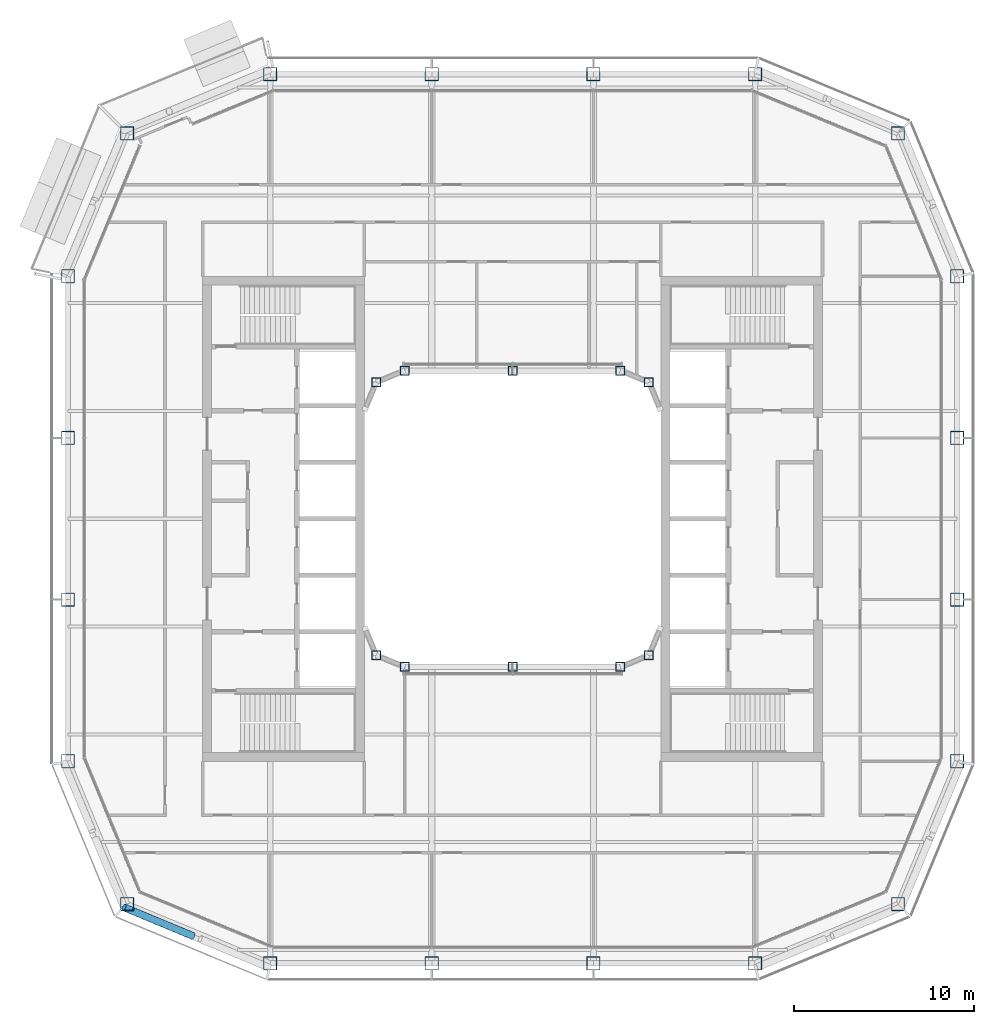
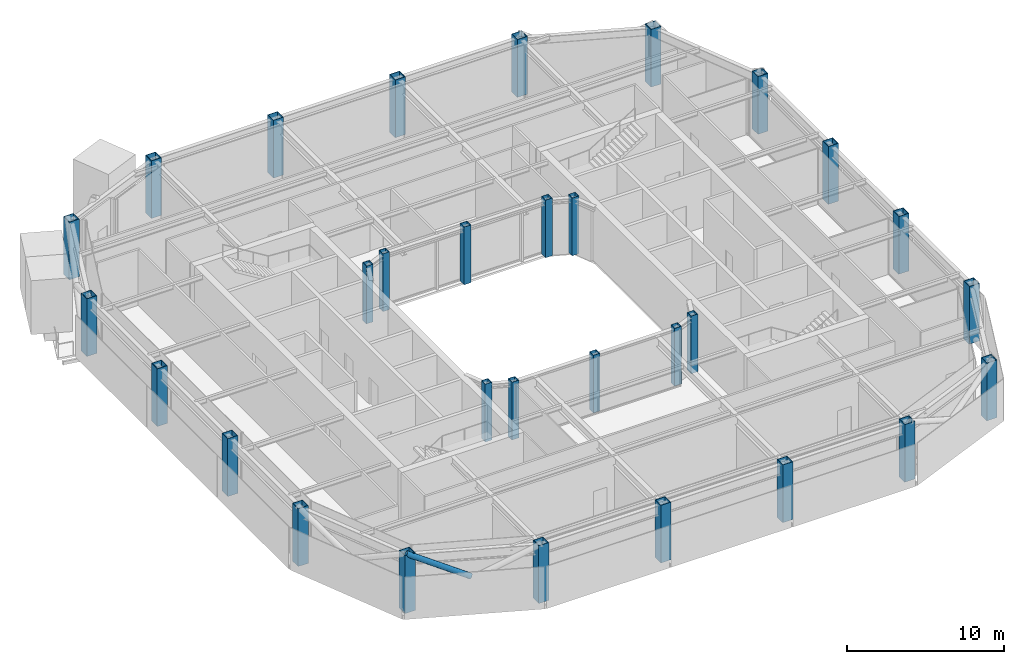
# One storey, part 1 of 21: 30 columns, 1 member.
"""IFC4 building model written with IfcOpenShell, lengths in metres."""

from ifc_helpers import new_model, si_unit, direction, frame, origin, origin_2d, place, context, subcontext, project, spatial, hollow_rectangle, hollow_circle, extrude, material, material_profile, profile_set, type_object, element, save


model = new_model("IFC4")

# Units and contexts
model_context = context("Model", 3, precision=1e-05, world=origin(), true_north=direction((0.0, 1.0)))
body_context = subcontext(model_context, "Body", "Model", "MODEL_VIEW")
ifc_project = project(units=[si_unit("LENGTHUNIT", "METRE"), si_unit("AREAUNIT", "SQUARE_METRE"), si_unit("VOLUMEUNIT", "CUBIC_METRE"), si_unit("PLANEANGLEUNIT", "RADIAN"), si_unit("MASSUNIT", "GRAM", prefix="KILO")], contexts=[model_context])

# Site, building, storey
site_placement = place(None, origin())
site = spatial("IfcSite", under=ifc_project, at=site_placement, CompositionType="ELEMENT")
building_placement = place(site_placement, origin())
building = spatial("IfcBuilding", under=site, at=building_placement, Name="Siwar Civic Tower", CompositionType="ELEMENT")
storey_placement = place(building_placement, frame((0.0, 0.0, 294.199951171875)))
storey = spatial("IfcBuildingStorey", under=building, at=storey_placement, Name="L63", CompositionType="ELEMENT", Elevation=294.199951171875)

# Columns
ifc_material_1 = material(Name="Steel S355", Category="steel")
ifc_material_profile_1 = material_profile(ifc_material_1, hollow_rectangle(XDim=0.75, YDim=0.75, WallThickness=0.0400390625, at=origin_2d()), Name="BOX750x750x40")
ifc_profile_set_1 = profile_set([ifc_material_profile_1], Name="Steel S355")
column_type_1 = type_object("IfcColumnType", Name="STR-COL-BOX750x750x40", PredefinedType="COLUMN", material=ifc_profile_set_1)
for number, where, z_axis, x_axis, name in (
    (1, (-13.5, -24.75, 0.0), (0.0, 0.0, 1.0), (1.0, 0.0, 0.0), "L63/col/S-0"),
    (2, (-4.5, -24.75, 0.0), (0.0, 0.0, 1.0), (1.0, 0.0, 0.0), "L63/col/S-1"),
    (3, (4.5, -24.75, 0.0), (0.0, 0.0, 1.0), (1.0, 0.0, 0.0), "L63/col/S-2"),
    (4, (13.5, -24.75, 0.0), (0.0, 0.0, 1.0), (1.0, 0.0, 0.0), "L63/col/SE1-0"),
    (5, (21.454833984375, -21.454833984375, 0.0), (0.0, 0.0, 1.0), (1.0, 0.0, 0.0), "L63/col/SE2-0"),
    (6, (24.75, -13.5, 0.0), (0.0, 0.0, 1.0), (1.0, 0.0, 0.0), "L63/col/E-0"),
    (7, (24.75, -4.5, 0.0), (0.0, 0.0, 1.0), (1.0, 0.0, 0.0), "L63/col/E-1"),
    (8, (24.75, 4.5, 0.0), (0.0, 0.0, 1.0), (1.0, 0.0, 0.0), "L63/col/E-2"),
    (9, (24.75, 13.5, 0.0), (0.0, 0.0, 1.0), (1.0, 0.0, 0.0), "L63/col/NE1-0"),
    (10, (21.454833984375, 21.454833984375, 0.0), (0.0, 0.0, 1.0), (1.0, 0.0, 0.0), "L63/col/NE2-0"),
    (11, (13.5, 24.75, 0.0), (0.0, 0.0, 1.0), (1.0, 0.0, 0.0), "L63/col/N-0"),
    (12, (4.5, 24.75, 0.0), (0.0, 0.0, 1.0), (1.0, 0.0, 0.0), "L63/col/N-1"),
    (13, (-4.5, 24.75, 0.0), (0.0, 0.0, 1.0), (1.0, 0.0, 0.0), "L63/col/N-2"),
    (14, (-13.5, 24.75, 0.0), (0.0, 0.0, 1.0), (1.0, 0.0, 0.0), "L63/col/NW1-0"),
    (15, (-21.454833984375, 21.454833984375, 0.0), (0.0, 0.0, 1.0), (1.0, 0.0, 0.0), "L63/col/NW2-0"),
    (16, (-24.75, 13.5, 0.0), (0.0, 0.0, 1.0), (1.0, 0.0, 0.0), "L63/col/W-0"),
    (17, (-24.75, 4.5, 0.0), (0.0, 0.0, 1.0), (1.0, 0.0, 0.0), "L63/col/W-1"),
    (18, (-24.75, -4.5, 0.0), (0.0, 0.0, 1.0), (1.0, 0.0, 0.0), "L63/col/W-2"),
    (19, (-24.75, -13.5, 0.0), (0.0, 0.0, 1.0), (1.0, 0.0, 0.0), "L63/col/SW1-0"),
    (20, (-21.454833984375, -21.454833984375, 0.0), (0.0, 0.0, 1.0), (1.0, 0.0, 0.0), "L63/col/SW2-0"),
):
    element("IfcColumn", number, at=place(storey_placement, frame(where, z_axis=z_axis, x_axis=x_axis)), inside=storey, type_object=column_type_1, Name=name, PredefinedType="COLUMN", context=body_context, shape_type="SweptSolid", body=[
        extrude(hollow_rectangle(XDim=0.75, YDim=0.75, WallThickness=0.0400390625, at=origin_2d()), origin(), (0.0, 0.0, 1.0), 4.5),
    ])
ifc_material_2 = material(Name="Steel S355", Category="steel")
ifc_material_profile_2 = material_profile(ifc_material_2, hollow_rectangle(XDim=0.5, YDim=0.5, WallThickness=0.02490234375, at=origin_2d()), Name="BOX500x500x25")
ifc_profile_set_2 = profile_set([ifc_material_profile_2], Name="Steel S355")
column_type_2 = type_object("IfcColumnType", Name="STR-ICOL-BOX500x500x25", PredefinedType="COLUMN", material=ifc_profile_set_2)
for number, where, z_axis, x_axis, name in (
    (21, (-7.591064453125, -7.591064453125, 0.0), (0.0, 0.0, 1.0), (1.0, 0.0, 0.0), "L63/col/IS-0"),
    (22, (-6.0, -8.25, 0.0), (0.0, 0.0, 1.0), (1.0, 0.0, 0.0), "L63/col/IS-1"),
    (23, (0.0, -8.25, 0.0), (0.0, 0.0, 1.0), (1.0, 0.0, 0.0), "L63/col/IS-2"),
    (24, (6.0, -8.25, 0.0), (0.0, 0.0, 1.0), (1.0, 0.0, 0.0), "L63/col/IS-3"),
    (25, (7.591064453125, -7.591064453125, 0.0), (0.0, 0.0, 1.0), (1.0, 0.0, 0.0), "L63/col/IS-4"),
    (26, (-7.591064453125, 7.591064453125, 0.0), (0.0, 0.0, 1.0), (1.0, 0.0, 0.0), "L63/col/IN-0"),
    (27, (-6.0, 8.25, 0.0), (0.0, 0.0, 1.0), (1.0, 0.0, 0.0), "L63/col/IN-1"),
    (28, (0.0, 8.25, 0.0), (0.0, 0.0, 1.0), (1.0, 0.0, 0.0), "L63/col/IN-2"),
    (29, (6.0, 8.25, 0.0), (0.0, 0.0, 1.0), (1.0, 0.0, 0.0), "L63/col/IN-3"),
    (30, (7.591064453125, 7.591064453125, 0.0), (0.0, 0.0, 1.0), (1.0, 0.0, 0.0), "L63/col/IN-4"),
):
    element("IfcColumn", number, at=place(storey_placement, frame(where, z_axis=z_axis, x_axis=x_axis)), inside=storey, type_object=column_type_2, Name=name, PredefinedType="COLUMN", context=body_context, shape_type="SweptSolid", body=[
        extrude(hollow_rectangle(XDim=0.5, YDim=0.5, WallThickness=0.02490234375, at=origin_2d()), origin(), (0.0, 0.0, 1.0), 4.5),
    ])

# Member
ifc_material_3 = material(Name="Steel S355", Category="steel")
ifc_material_profile_3 = material_profile(ifc_material_3, hollow_circle(Radius=0.203125, WallThickness=0.01611328125, at=origin_2d()), Name="CHS406.4x16")
ifc_profile_set_3 = profile_set([ifc_material_profile_3], Name="Steel S355")
member_type = type_object("IfcMemberType", Name="STR-BR-CHS406.4x16", PredefinedType="BRACE", material=ifc_profile_set_3)
member_placement = place(storey_placement, frame((-17.791259765625, -23.229736328125, 2.362060546875), z_axis=(-0.821166691915, 0.341652533125, 0.457120127208), x_axis=(-0.38413607648, -0.923276488787, 0.0)))
element("IfcMember", 31, at=member_placement, inside=storey, type_object=member_type, Name="L63/brc/DSW1-2-0-3", PredefinedType="BRACE", context=body_context, shape_type="SweptSolid", body=[
    extrude(hollow_circle(Radius=0.203125, WallThickness=0.01611328125, at=origin_2d()), origin(), (0.0, 0.0, 1.0), 4.677001953125),
])

save(model, "model.ifc")
